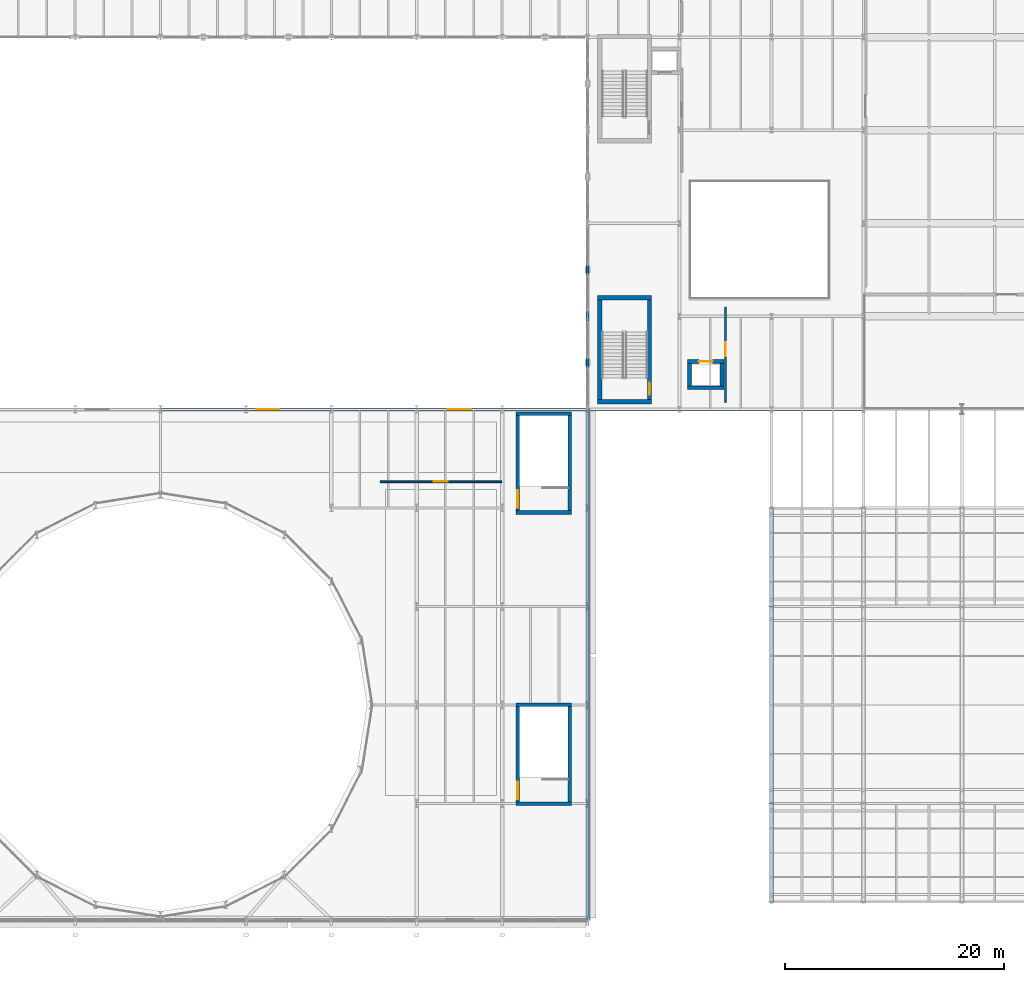
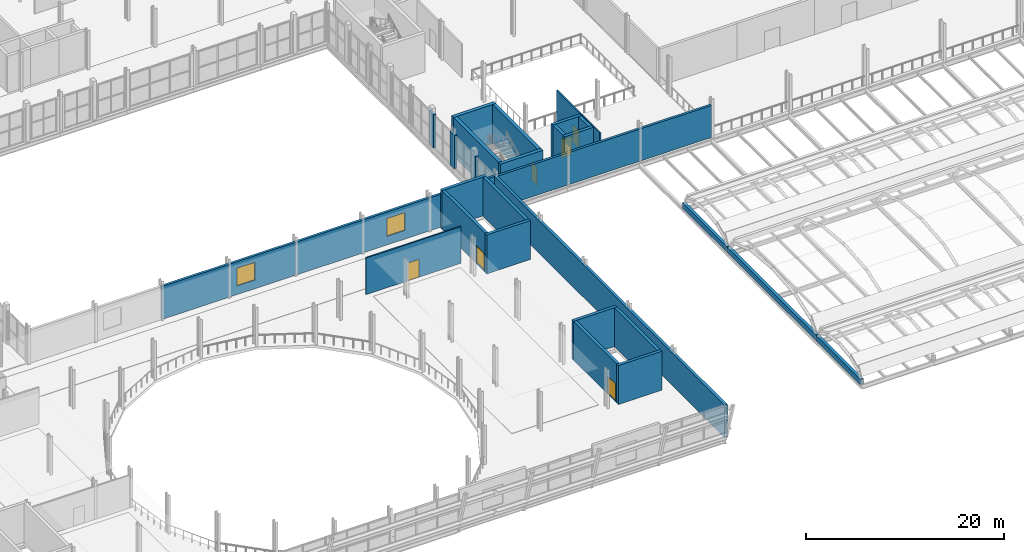
# One storey, part 49 of 63: 28 walls, 6 doors, 2 windows, 8 openings.
"""IFC4 building model written with IfcOpenShell, lengths in metres."""

from ifc_helpers import new_model, si_unit, direction, frame, frame_2d, origin, place, context, subcontext, project, spatial, rectangle, extrude, material, layer, layer_set, type_object, element, fill, save


model = new_model("IFC4")

# Units and contexts
model_context = context("Model", 3, precision=1e-05, world=origin(), true_north=direction((0.0, 1.0)))
body_context = subcontext(model_context, "Body", "Model", "MODEL_VIEW")
ifc_project = project(units=[si_unit("LENGTHUNIT", "METRE"), si_unit("AREAUNIT", "SQUARE_METRE"), si_unit("VOLUMEUNIT", "CUBIC_METRE"), si_unit("PLANEANGLEUNIT", "RADIAN"), si_unit("MASSUNIT", "GRAM", prefix="KILO")], contexts=[model_context])

# Site, building, storey
site_placement = place(None, origin())
site = spatial("IfcSite", under=ifc_project, at=site_placement, CompositionType="ELEMENT")
building_placement = place(site_placement, origin())
building = spatial("IfcBuilding", under=site, at=building_placement, Name="Sefraquen Railside Congress Hotel", CompositionType="ELEMENT")
storey_placement = place(building_placement, frame((0.0, 0.0, 11.39990234375)))
storey = spatial("IfcBuildingStorey", under=building, at=storey_placement, Name="L02", CompositionType="ELEMENT", Elevation=11.39990234375)

# Walls
ifc_material_1 = material(Name="Concrete C50/60", Category="concrete")
ifc_layer_1 = layer(ifc_material_1, 0.35009765625)
ifc_layer_set_1 = layer_set([ifc_layer_1], Name="Concrete C50/60")
wall_type_1 = type_object("IfcWallType", Name="TW-CW-350", PredefinedType="SHEAR", material=ifc_layer_set_1)
for number, where, z_axis, x_axis, name in (
    (1, (96.64990234375, 27.014892578125, 0.0), (0.0, 0.0, 1.0), (1.0, 0.0, 0.0), "Core shear wall ST-C03 N L02"),
    (2, (96.64990234375, 17.985107421875, 0.0), (0.0, 0.0, 1.0), (1.0, 0.0, 0.0), "Core shear wall ST-C03 S L02"),
):
    element("IfcWall", number, at=place(storey_placement, frame(where, z_axis=z_axis, x_axis=x_axis)), inside=storey, type_object=wall_type_1, Name=name, PredefinedType="SHEAR", context=body_context, shape_type="SweptSolid", body=[
        extrude(rectangle(XDim=5.10009765625, YDim=0.35009765625, at=frame_2d((2.550048828125, 0.0))), origin(), (0.0, 0.0, 1.0), 4.800048828125),
    ])

# Wall, opening, door
wall_1_placement = place(storey_placement, frame((96.824951171875, 18.159912109375, 0.0), z_axis=(0.0, 0.0, 1.0), x_axis=(0.0, 1.0, 0.0)))
wall_1 = element("IfcWall", 3, at=wall_1_placement, inside=storey, type_object=wall_type_1, Name="Core shear wall ST-C03 W L02", PredefinedType="SHEAR", context=body_context, shape_type="SweptSolid", body=[
    extrude(rectangle(XDim=8.68017578125, YDim=0.35009765625, at=frame_2d((4.340087890625, 0.0))), origin(), (0.0, 0.0, 1.0), 4.800048828125),
])
opening_1_placement = place(wall_1_placement, frame((0.25, 0.0, 0.0)))
opening_1 = element("IfcOpeningElement", 4, at=opening_1_placement, cuts=wall_1, Name="Opening FD-02", PredefinedType="OPENING", context=body_context, shape_type="SweptSolid", body=[
    extrude(rectangle(XDim=1.60009765625, YDim=2.199951171875, at=frame_2d((0.800048828125, 1.10009765625))), frame((0.0, 0.18505859375, 0.0), z_axis=(0.0, -1.0, 0.0), x_axis=(1.0, 0.0, 0.0)), (0.0, 0.0, 1.0), 0.3701171875),
])
ifc_material_2 = material(Name="Fire-rated steel", Category="steel")
door_type_1 = type_object("IfcDoorType", Name="TD-FD-02", OperationType="NOTDEFINED", PredefinedType="DOOR", material=ifc_material_2)
door_1_placement = place(opening_1_placement, origin())
door_1 = element("IfcDoor", 5, at=door_1_placement, inside=storey, type_object=door_type_1, Name="Pressurized stair ST-C03 fire door L02", OperationType="SINGLE_SWING_RIGHT", OverallHeight=2.199951171875, OverallWidth=1.60009765625, PredefinedType="DOOR", context=body_context, shape_type="SweptSolid", body=[
    extrude(rectangle(XDim=1.60009765625, YDim=2.199951171875, at=frame_2d((0.800048828125, 1.10009765625))), frame((0.0, 0.02490234375, 0.0), z_axis=(0.0, -1.0, 0.0), x_axis=(1.0, 0.0, 0.0)), (0.0, 0.0, 1.0), 0.050048828125),
])
fill(opening_1, door_1)

# Walls
wall_2_placement = place(storey_placement, frame((101.574951171875, 18.159912109375, 0.0), z_axis=(0.0, 0.0, 1.0), x_axis=(0.0, 1.0, 0.0)))
element("IfcWall", 6, at=wall_2_placement, inside=storey, type_object=wall_type_1, Name="Core shear wall ST-C03 E L02", PredefinedType="SHEAR", context=body_context, shape_type="SweptSolid", body=[
    extrude(rectangle(XDim=8.68017578125, YDim=0.35009765625, at=frame_2d((4.340087890625, 0.0))), origin(), (0.0, 0.0, 1.0), 4.800048828125),
])
for number, where, z_axis, x_axis, name in (
    (7, (96.64990234375, 53.60498046875, 0.0), (0.0, 0.0, 1.0), (1.0, 0.0, 0.0), "Core shear wall ST-C04 N L02"),
    (8, (96.64990234375, 44.574951171875, 0.0), (0.0, 0.0, 1.0), (1.0, 0.0, 0.0), "Core shear wall ST-C04 S L02"),
):
    element("IfcWall", number, at=place(storey_placement, frame(where, z_axis=z_axis, x_axis=x_axis)), inside=storey, type_object=wall_type_1, Name=name, PredefinedType="SHEAR", context=body_context, shape_type="SweptSolid", body=[
        extrude(rectangle(XDim=5.10009765625, YDim=0.35009765625, at=frame_2d((2.550048828125, 0.0))), origin(), (0.0, 0.0, 1.0), 4.800048828125),
    ])

# Wall, opening, door
wall_3_placement = place(storey_placement, frame((96.824951171875, 44.75, 0.0), z_axis=(0.0, 0.0, 1.0), x_axis=(0.0, 1.0, 0.0)))
wall_3 = element("IfcWall", 9, at=wall_3_placement, inside=storey, type_object=wall_type_1, Name="Core shear wall ST-C04 W L02", PredefinedType="SHEAR", context=body_context, shape_type="SweptSolid", body=[
    extrude(rectangle(XDim=8.679931640625, YDim=0.35009765625, at=frame_2d((4.33984375, 0.0))), origin(), (0.0, 0.0, 1.0), 4.800048828125),
])
opening_2_placement = place(wall_3_placement, frame((0.25, 0.0, 0.0)))
opening_2 = element("IfcOpeningElement", 10, at=opening_2_placement, cuts=wall_3, Name="Opening FD-02", PredefinedType="OPENING", context=body_context, shape_type="SweptSolid", body=[
    extrude(rectangle(XDim=1.60009765625, YDim=2.199951171875, at=frame_2d((0.800048828125, 1.10009765625))), frame((0.0, 0.18505859375, 0.0), z_axis=(0.0, -1.0, 0.0), x_axis=(1.0, 0.0, 0.0)), (0.0, 0.0, 1.0), 0.3701171875),
])
door_2_placement = place(opening_2_placement, frame((1.60009765625, 0.0, 0.0), z_axis=(0.0, 0.0, 1.0), x_axis=(-1.0, 0.0, 0.0)))
door_2 = element("IfcDoor", 11, at=door_2_placement, inside=storey, type_object=door_type_1, Name="Pressurized stair ST-C04 fire door L02", OperationType="SINGLE_SWING_LEFT", OverallHeight=2.199951171875, OverallWidth=1.60009765625, PredefinedType="DOOR", context=body_context, shape_type="SweptSolid", body=[
    extrude(rectangle(XDim=1.60009765625, YDim=2.199951171875, at=frame_2d((0.800048828125, 1.10009765625))), frame((0.0, 0.02490234375, 0.0), z_axis=(0.0, -1.0, 0.0), x_axis=(1.0, 0.0, 0.0)), (0.0, 0.0, 1.0), 0.050048828125),
])
fill(opening_2, door_2)

# Walls
wall_4_placement = place(storey_placement, frame((101.574951171875, 44.75, 0.0), z_axis=(0.0, 0.0, 1.0), x_axis=(0.0, 1.0, 0.0)))
element("IfcWall", 12, at=wall_4_placement, inside=storey, type_object=wall_type_1, Name="Core shear wall ST-C04 E L02", PredefinedType="SHEAR", context=body_context, shape_type="SweptSolid", body=[
    extrude(rectangle(XDim=8.679931640625, YDim=0.35009765625, at=frame_2d((4.33984375, 0.0))), origin(), (0.0, 0.0, 1.0), 4.800048828125),
])
wall_5_placement = place(storey_placement, frame((120.0, 9.0, -0.349853515625), z_axis=(0.0, 0.0, 1.0), x_axis=(0.0, 1.0, 0.0)))
element("IfcWall", 13, at=wall_5_placement, inside=storey, type_object=wall_type_1, Name="Thermal Spa vault 1 W gable bearing wall", PredefinedType="SHEAR", context=body_context, shape_type="SweptSolid", body=[
    extrude(rectangle(XDim=9.0, YDim=0.35009765625, at=frame_2d((4.5, 0.0))), origin(), (0.0, 0.0, 1.0), 0.669921875),
])
wall_6_placement = place(storey_placement, frame((120.0, 18.0, -0.349853515625), z_axis=(0.0, 0.0, 1.0), x_axis=(0.0, 1.0, 0.0)))
element("IfcWall", 14, at=wall_6_placement, inside=storey, type_object=wall_type_1, Name="Thermal Spa vault 2 W gable bearing wall", PredefinedType="SHEAR", context=body_context, shape_type="SweptSolid", body=[
    extrude(rectangle(XDim=18.0, YDim=0.35009765625, at=frame_2d((9.0, 0.0))), origin(), (0.0, 0.0, 1.0), 0.669921875),
])
wall_7_placement = place(storey_placement, frame((120.0, 36.0, -0.349853515625), z_axis=(0.0, 0.0, 1.0), x_axis=(0.0, 1.0, 0.0)))
element("IfcWall", 15, at=wall_7_placement, inside=storey, type_object=wall_type_1, Name="Thermal Spa vault 3 W gable bearing wall", PredefinedType="SHEAR", context=body_context, shape_type="SweptSolid", body=[
    extrude(rectangle(XDim=9.0, YDim=0.35009765625, at=frame_2d((4.5, 0.0))), origin(), (0.0, 0.0, 1.0), 0.669921875),
])

# Wall, opening, door
wall_8_placement = place(storey_placement, frame((112.330078125, 58.364990234375, 0.0), z_axis=(0.0, 0.0, 1.0), x_axis=(1.0, 0.0, 0.0)))
wall_8 = element("IfcWall", 16, at=wall_8_placement, inside=storey, type_object=wall_type_1, Name="Lift SL-01 shaft wall N L02", PredefinedType="SHEAR", context=body_context, shape_type="SweptSolid", body=[
    extrude(rectangle(XDim=3.33984375, YDim=0.35009765625, at=frame_2d((1.669921875, 0.0))), origin(), (0.0, 0.0, 1.0), 4.52001953125),
])
opening_3_placement = place(wall_8_placement, frame((1.044921875, 0.0, 0.0)))
opening_3 = element("IfcOpeningElement", 17, at=opening_3_placement, cuts=wall_8, Name="Opening LD-02", PredefinedType="OPENING", context=body_context, shape_type="SweptSolid", body=[
    extrude(rectangle(XDim=1.25, YDim=2.25, at=frame_2d((0.625, 1.125))), frame((0.0, 0.18505859375, 0.0), z_axis=(0.0, -1.0, 0.0), x_axis=(1.0, 0.0, 0.0)), (0.0, 0.0, 1.0), 0.3701171875),
])
ifc_material_3 = material(Name="Brushed stainless steel", Category="steel")
door_type_2 = type_object("IfcDoorType", Name="TD-LD-02", OperationType="NOTDEFINED", PredefinedType="DOOR", material=ifc_material_3)
door_3_placement = place(opening_3_placement, origin())
door_3 = element("IfcDoor", 18, at=door_3_placement, inside=storey, type_object=door_type_2, Name="Lift landing door SL-01 L02", OperationType="SLIDING_TO_LEFT", OverallHeight=2.25, OverallWidth=1.25, PredefinedType="DOOR", context=body_context, shape_type="SweptSolid", body=[
    extrude(rectangle(XDim=1.25, YDim=2.25, at=frame_2d((0.625, 1.125))), frame((0.0, 0.02490234375, 0.0), z_axis=(0.0, -1.0, 0.0), x_axis=(1.0, 0.0, 0.0)), (0.0, 0.0, 1.0), 0.050048828125),
])
fill(opening_3, door_3)

# Walls
wall_9_placement = place(storey_placement, frame((112.330078125, 55.97509765625, 0.0), z_axis=(0.0, 0.0, 1.0), x_axis=(1.0, 0.0, 0.0)))
element("IfcWall", 19, at=wall_9_placement, inside=storey, type_object=wall_type_1, Name="Lift SL-01 shaft wall S L02", PredefinedType="SHEAR", context=body_context, shape_type="SweptSolid", body=[
    extrude(rectangle(XDim=3.33984375, YDim=0.35009765625, at=frame_2d((1.669921875, 0.0))), origin(), (0.0, 0.0, 1.0), 4.52001953125),
])
for number, where, z_axis, x_axis, name in (
    (20, (112.5048828125, 56.14990234375, 0.0), (0.0, 0.0, 1.0), (0.0, 1.0, 0.0), "Lift SL-01 shaft wall W L02"),
    (21, (115.4951171875, 56.14990234375, 0.0), (0.0, 0.0, 1.0), (0.0, 1.0, 0.0), "Lift SL-01 shaft wall E L02"),
):
    element("IfcWall", number, at=place(storey_placement, frame(where, z_axis=z_axis, x_axis=x_axis)), inside=storey, type_object=wall_type_1, Name=name, PredefinedType="SHEAR", context=body_context, shape_type="SweptSolid", body=[
        extrude(rectangle(XDim=2.0400390625, YDim=0.35009765625, at=frame_2d((1.02001953125, 0.0))), origin(), (0.0, 0.0, 1.0), 4.52001953125),
    ])
ifc_layer_2 = layer(ifc_material_1, 0.39990234375)
ifc_layer_set_2 = layer_set([ifc_layer_2], Name="Concrete C50/60")
wall_type_2 = type_object("IfcWallType", Name="TW-CW-400", PredefinedType="SHEAR", material=ifc_layer_set_2)
for number, where, z_axis, x_axis, name in (
    (22, (104.10009765625, 64.2119140625, 0.0), (0.0, 0.0, 1.0), (1.0, 0.0, 0.0), "Core shear wall ST-M02 N L02"),
    (23, (104.10009765625, 54.699951171875, 0.0), (0.0, 0.0, 1.0), (1.0, 0.0, 0.0), "Core shear wall ST-M02 S L02"),
):
    element("IfcWall", number, at=place(storey_placement, frame(where, z_axis=z_axis, x_axis=x_axis)), inside=storey, type_object=wall_type_2, Name=name, PredefinedType="SHEAR", context=body_context, shape_type="SweptSolid", body=[
        extrude(rectangle(XDim=4.9599609375, YDim=0.39990234375, at=frame_2d((2.47998046875, 0.0))), origin(), (0.0, 0.0, 1.0), 4.800048828125),
    ])
wall_10_placement = place(storey_placement, frame((104.300048828125, 54.89990234375, 0.0), z_axis=(0.0, 0.0, 1.0), x_axis=(0.0, 1.0, 0.0)))
element("IfcWall", 24, at=wall_10_placement, inside=storey, type_object=wall_type_2, Name="Core shear wall ST-M02 W L02", PredefinedType="SHEAR", context=body_context, shape_type="SweptSolid", body=[
    extrude(rectangle(XDim=9.112060546875, YDim=0.39990234375, at=frame_2d((4.55615234375, 0.0))), origin(), (0.0, 0.0, 1.0), 4.800048828125),
])

# Wall, opening, door
wall_11_placement = place(storey_placement, frame((108.860107421875, 54.89990234375, 0.0), z_axis=(0.0, 0.0, 1.0), x_axis=(0.0, 1.0, 0.0)))
wall_11 = element("IfcWall", 25, at=wall_11_placement, inside=storey, type_object=wall_type_2, Name="Core shear wall ST-M02 E L02", PredefinedType="SHEAR", context=body_context, shape_type="SweptSolid", body=[
    extrude(rectangle(XDim=9.112060546875, YDim=0.39990234375, at=frame_2d((4.55615234375, 0.0))), origin(), (0.0, 0.0, 1.0), 4.800048828125),
])
opening_4_placement = place(wall_11_placement, frame((0.43994140625, 0.0, 0.0)))
opening_4 = element("IfcOpeningElement", 26, at=opening_4_placement, cuts=wall_11, Name="Opening FD-04", PredefinedType="OPENING", context=body_context, shape_type="SweptSolid", body=[
    extrude(rectangle(XDim=1.10009765625, YDim=2.199951171875, at=frame_2d((0.550048828125, 1.10009765625))), frame((0.0, 0.2099609375, 0.0), z_axis=(0.0, -1.0, 0.0), x_axis=(1.0, 0.0, 0.0)), (0.0, 0.0, 1.0), 0.419921875),
])
door_type_3 = type_object("IfcDoorType", Name="TD-FD-04", OperationType="NOTDEFINED", PredefinedType="DOOR", material=ifc_material_2)
door_4_placement = place(opening_4_placement, origin())
door_4 = element("IfcDoor", 27, at=door_4_placement, inside=storey, type_object=door_type_3, Name="Pressurized stair ST-M02 fire door L02", OperationType="SINGLE_SWING_RIGHT", OverallHeight=2.199951171875, OverallWidth=1.10009765625, PredefinedType="DOOR", context=body_context, shape_type="SweptSolid", body=[
    extrude(rectangle(XDim=1.10009765625, YDim=2.199951171875, at=frame_2d((0.550048828125, 1.10009765625))), frame((0.0, 0.02490234375, 0.0), z_axis=(0.0, -1.0, 0.0), x_axis=(1.0, 0.0, 0.0)), (0.0, 0.0, 1.0), 0.050048828125),
])
fill(opening_4, door_4)

# Wall, opening, window
ifc_material_4 = material(Name="Ochre Rabat calcarenite limestone and Concrete C40/50 backing", Category="masonry")
ifc_layer_3 = layer(ifc_material_4, 0.280029296875)
ifc_layer_set_3 = layer_set([ifc_layer_3], Name="Ochre Rabat calcarenite limestone and Concrete C40/50 backing")
wall_type_3 = type_object("IfcWallType", Name="TW-EW-280", PredefinedType="STANDARD", material=ifc_layer_set_3)
wall_12_placement = place(storey_placement, frame((64.199951171875, 54.0, 0.0), z_axis=(0.0, 0.0, 1.0), x_axis=(1.0, 0.0, 0.0)))
wall_12 = element("IfcWall", 28, at=wall_12_placement, inside=storey, type_object=wall_type_3, Name="Congress Hall L02 courtyard north facade wall 2", PredefinedType="STANDARD", context=body_context, shape_type="SweptSolid", body=[
    extrude(rectangle(XDim=15.60009765625, YDim=0.280029296875, at=frame_2d((7.800048828125, 0.0))), origin(), (0.0, 0.0, 1.0), 4.06005859375),
])
opening_5_placement = place(wall_12_placement, frame((8.75, 0.0, 1.050048828125)))
opening_5 = element("IfcOpeningElement", 29, at=opening_5_placement, cuts=wall_12, Name="Opening WN-07", PredefinedType="OPENING", context=body_context, shape_type="SweptSolid", body=[
    extrude(rectangle(XDim=2.10009765625, YDim=2.199951171875, at=frame_2d((1.050048828125, 1.10009765625))), frame((0.0, 0.14990234375, 0.0), z_axis=(0.0, -1.0, 0.0), x_axis=(1.0, 0.0, 0.0)), (0.0, 0.0, 1.0), 0.300048828125),
])
ifc_material_5 = material(Name="Solar-control low-E double glazing in bronze-anodised frame", Category="glass")
window_type = type_object("IfcWindowType", Name="TWN-W-07", PartitioningType="DOUBLE_PANEL_VERTICAL", PredefinedType="WINDOW", material=ifc_material_5)
window_1_placement = place(opening_5_placement, origin())
window_1 = element("IfcWindow", 30, at=window_1_placement, inside=storey, type_object=window_type, Name="Congress courtyard north window L02-2", OverallHeight=2.199951171875, OverallWidth=2.10009765625, PartitioningType="DOUBLE_PANEL_VERTICAL", PredefinedType="WINDOW", context=body_context, shape_type="SweptSolid", body=[
    extrude(rectangle(XDim=2.10009765625, YDim=2.199951171875, at=frame_2d((1.050048828125, 1.10009765625))), frame((0.0, 0.030029296875, 0.0), z_axis=(0.0, -1.0, 0.0), x_axis=(1.0, 0.0, 0.0)), (0.0, 0.0, 1.0), 0.06005859375),
])
fill(opening_5, window_1)

wall_13_placement = place(storey_placement, frame((79.800048828125, 54.0, 0.0), z_axis=(0.0, 0.0, 1.0), x_axis=(1.0, 0.0, 0.0)))
wall_13 = element("IfcWall", 31, at=wall_13_placement, inside=storey, type_object=wall_type_3, Name="Congress Hall L02 courtyard north facade wall 3", PredefinedType="STANDARD", context=body_context, shape_type="SweptSolid", body=[
    extrude(rectangle(XDim=23.39990234375, YDim=0.280029296875, at=frame_2d((11.699951171875, 0.0))), origin(), (0.0, 0.0, 1.0), 4.06005859375),
])
opening_6_placement = place(wall_13_placement, frame((10.64990234375, 0.0, 1.050048828125)))
opening_6 = element("IfcOpeningElement", 32, at=opening_6_placement, cuts=wall_13, Name="Opening WN-07", PredefinedType="OPENING", context=body_context, shape_type="SweptSolid", body=[
    extrude(rectangle(XDim=2.10009765625, YDim=2.199951171875, at=frame_2d((1.050048828125, 1.10009765625))), frame((0.0, 0.14990234375, 0.0), z_axis=(0.0, -1.0, 0.0), x_axis=(1.0, 0.0, 0.0)), (0.0, 0.0, 1.0), 0.300048828125),
])
window_2_placement = place(opening_6_placement, origin())
window_2 = element("IfcWindow", 33, at=window_2_placement, inside=storey, type_object=window_type, Name="Congress courtyard north window L02-3", OverallHeight=2.199951171875, OverallWidth=2.10009765625, PartitioningType="DOUBLE_PANEL_VERTICAL", PredefinedType="WINDOW", context=body_context, shape_type="SweptSolid", body=[
    extrude(rectangle(XDim=2.10009765625, YDim=2.199951171875, at=frame_2d((1.050048828125, 1.10009765625))), frame((0.0, 0.030029296875, 0.0), z_axis=(0.0, -1.0, 0.0), x_axis=(1.0, 0.0, 0.0)), (0.0, 0.0, 1.0), 0.06005859375),
])
fill(opening_6, window_2)

# Walls
wall_14_placement = place(storey_placement, frame((103.199951171875, 54.0, 0.0), z_axis=(0.0, 0.0, 1.0), x_axis=(1.0, 0.0, 0.0)))
element("IfcWall", 34, at=wall_14_placement, inside=storey, type_object=wall_type_3, Name="Meeting Wing L02 south courtyard facade wall", PredefinedType="STANDARD", context=body_context, shape_type="SweptSolid", body=[
    extrude(rectangle(XDim=25.199951171875, YDim=0.280029296875, at=frame_2d((12.60009765625, 0.0))), origin(), (0.0, 0.0, 1.0), 3.960205078125),
])
for number, where, z_axis, x_axis, name in (
    (35, (103.199951171875, 57.77001953125, 0.0), (0.0, 0.0, 1.0), (0.0, 1.0, 0.0), "Courtyard east gallery curtain wall L02 column pier closure 1"),
    (36, (103.199951171875, 62.02001953125, 0.0), (0.0, 0.0, 1.0), (0.0, 1.0, 0.0), "Courtyard east gallery curtain wall L02 column pier closure 2"),
    (37, (103.199951171875, 66.27001953125, 0.0), (0.0, 0.0, 1.0), (0.0, 1.0, 0.0), "Courtyard east gallery curtain wall L02 column pier closure 3"),
):
    element("IfcWall", number, at=place(storey_placement, frame(where, z_axis=z_axis, x_axis=x_axis)), inside=storey, type_object=wall_type_3, Name=name, PredefinedType="STANDARD", context=body_context, shape_type="SweptSolid", body=[
        extrude(rectangle(XDim=0.9599609375, YDim=0.260009765625, at=frame_2d((0.47998046875, 0.0))), origin(), (0.0, 0.0, 1.0), 4.110107421875),
    ])
ifc_layer_4 = layer(ifc_material_4, 0.320068359375)
ifc_layer_set_4 = layer_set([ifc_layer_4], Name="Ochre Rabat calcarenite limestone and Concrete C40/50 backing")
wall_type_4 = type_object("IfcWallType", Name="TW-EW-320", PredefinedType="STANDARD", material=ifc_layer_set_4)
wall_15_placement = place(storey_placement, frame((103.199951171875, 7.400390625, 0.0), z_axis=(0.0, 0.0, 1.0), x_axis=(0.0, 1.0, 0.0)))
element("IfcWall", 38, at=wall_15_placement, inside=storey, type_object=wall_type_4, Name="Congress Hall L02 east acoustic facade wall", PredefinedType="STANDARD", context=body_context, shape_type="SweptSolid", body=[
    extrude(rectangle(XDim=46.599609375, YDim=0.320068359375, at=frame_2d((23.2998046875, 0.0))), origin(), (0.0, 0.0, 1.0), 4.02001953125),
])

# Wall, opening, door
ifc_material_6 = material(Name="Moisture-resistant gypsum board", Category="gypsum")
ifc_layer_5 = layer(ifc_material_6, 0.159912109375)
ifc_layer_set_5 = layer_set([ifc_layer_5], Name="Moisture-resistant gypsum board")
wall_type_5 = type_object("IfcWallType", Name="TW-PW-160", PredefinedType="PARTITIONING", material=ifc_layer_set_5)
wall_16_placement = place(storey_placement, frame((84.25, 47.39990234375, 0.0), z_axis=(0.0, 0.0, 1.0), x_axis=(1.0, 0.0, 0.0)))
wall_16 = element("IfcWall", 39, at=wall_16_placement, inside=storey, type_object=wall_type_5, Name="Heads of Delegation Lounge enclosure wall", PredefinedType="PARTITIONING", context=body_context, shape_type="SweptSolid", body=[
    extrude(rectangle(XDim=11.10009765625, YDim=0.159912109375, at=frame_2d((5.550048828125, 0.0))), origin(), (0.0, 0.0, 1.0), 4.52001953125),
])
opening_7_placement = place(wall_16_placement, frame((4.89990234375, 0.0, 0.0)))
opening_7 = element("IfcOpeningElement", 40, at=opening_7_placement, cuts=wall_16, Name="Opening MD-02", PredefinedType="OPENING", context=body_context, shape_type="SweptSolid", body=[
    extrude(rectangle(XDim=1.300048828125, YDim=2.199951171875, at=frame_2d((0.64990234375, 1.10009765625))), frame((0.0, 0.08984375, 0.0), z_axis=(0.0, -1.0, 0.0), x_axis=(1.0, 0.0, 0.0)), (0.0, 0.0, 1.0), 0.179931640625),
])
ifc_material_7 = material(Name="Acoustic cedar veneer", Category="wood")
door_type_4 = type_object("IfcDoorType", Name="TD-MD-02", OperationType="NOTDEFINED", PredefinedType="DOOR", material=ifc_material_7)
door_5_placement = place(opening_7_placement, origin())
door_5 = element("IfcDoor", 41, at=door_5_placement, inside=storey, type_object=door_type_4, Name="Heads of Delegation Lounge entrance door", OperationType="SINGLE_SWING_RIGHT", OverallHeight=2.199951171875, OverallWidth=1.300048828125, PredefinedType="DOOR", context=body_context, shape_type="SweptSolid", body=[
    extrude(rectangle(XDim=1.300048828125, YDim=2.199951171875, at=frame_2d((0.64990234375, 1.10009765625))), frame((0.0, 0.02490234375, 0.0), z_axis=(0.0, -1.0, 0.0), x_axis=(1.0, 0.0, 0.0)), (0.0, 0.0, 1.0), 0.050048828125),
])
fill(opening_7, door_5)

wall_17_placement = place(storey_placement, frame((115.800048828125, 54.64990234375, 0.0), z_axis=(0.0, 0.0, 1.0), x_axis=(0.0, 1.0, 0.0)))
wall_17 = element("IfcWall", 42, at=wall_17_placement, inside=storey, type_object=wall_type_5, Name="Seminar Suite 04 enclosure wall", PredefinedType="PARTITIONING", context=body_context, shape_type="SweptSolid", body=[
    extrude(rectangle(XDim=8.7001953125, YDim=0.159912109375, at=frame_2d((4.35009765625, 0.0))), origin(), (0.0, 0.0, 1.0), 4.52001953125),
])
opening_8_placement = place(wall_17_placement, frame((4.199951171875, 0.0, 0.0)))
opening_8 = element("IfcOpeningElement", 43, at=opening_8_placement, cuts=wall_17, Name="Opening MD-02", PredefinedType="OPENING", context=body_context, shape_type="SweptSolid", body=[
    extrude(rectangle(XDim=1.300048828125, YDim=2.199951171875, at=frame_2d((0.64990234375, 1.10009765625))), frame((0.0, 0.08984375, 0.0), z_axis=(0.0, -1.0, 0.0), x_axis=(1.0, 0.0, 0.0)), (0.0, 0.0, 1.0), 0.179931640625),
])
door_6_placement = place(opening_8_placement, origin())
door_6 = element("IfcDoor", 44, at=door_6_placement, inside=storey, type_object=door_type_4, Name="Seminar Suite 04 entrance door", OperationType="SINGLE_SWING_LEFT", OverallHeight=2.199951171875, OverallWidth=1.300048828125, PredefinedType="DOOR", context=body_context, shape_type="SweptSolid", body=[
    extrude(rectangle(XDim=1.300048828125, YDim=2.199951171875, at=frame_2d((0.64990234375, 1.10009765625))), frame((0.0, 0.02490234375, 0.0), z_axis=(0.0, -1.0, 0.0), x_axis=(1.0, 0.0, 0.0)), (0.0, 0.0, 1.0), 0.050048828125),
])
fill(opening_8, door_6)

save(model, "model.ifc")
